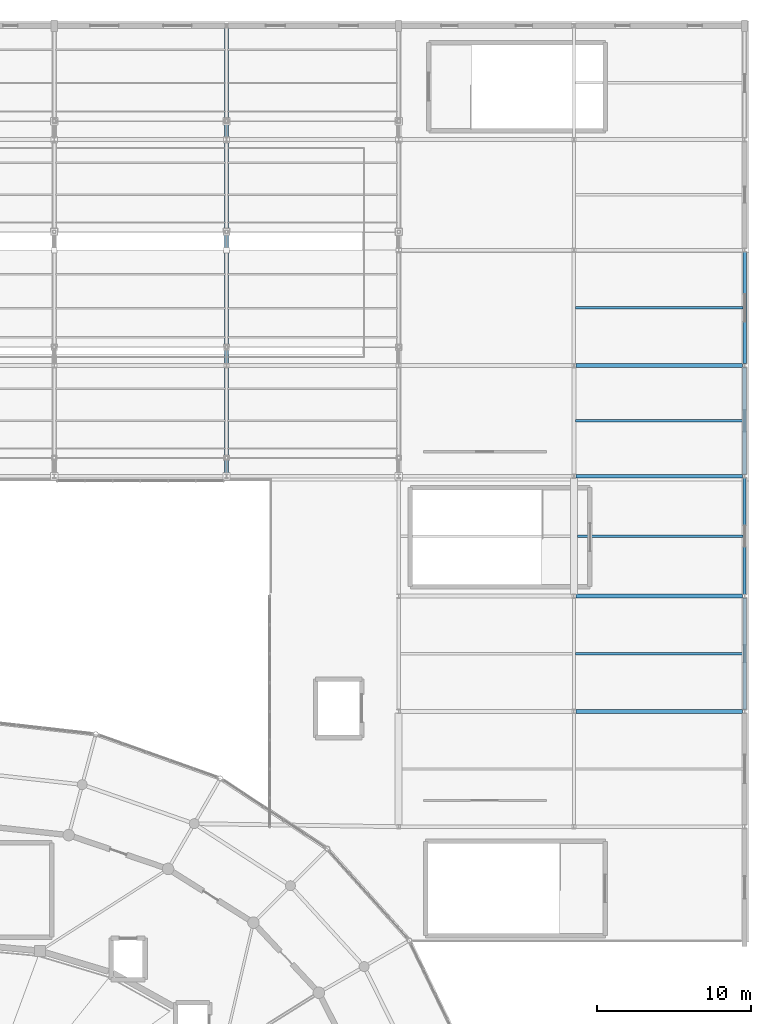
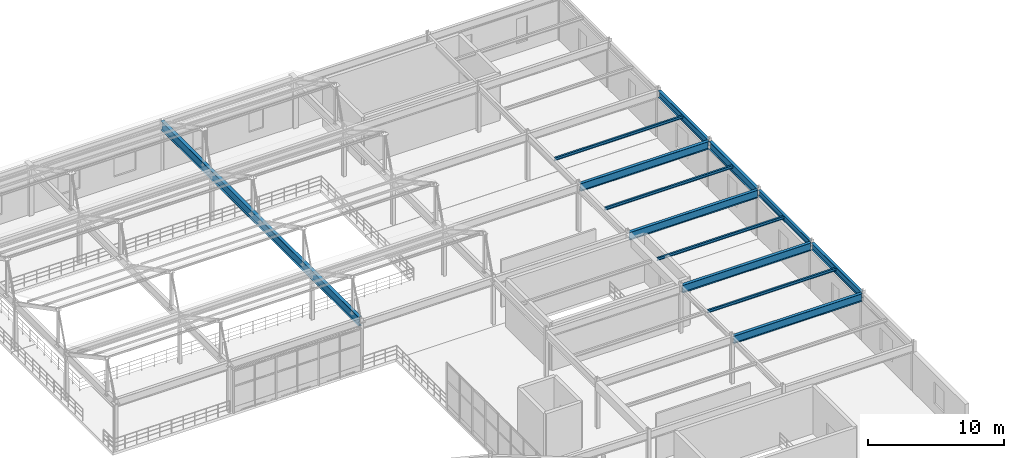
# One storey, part 66 of 112: 13 beams.
"""IFC4 building model written with IfcOpenShell, lengths in metres."""

from ifc_helpers import new_model, si_unit, direction, frame, origin, origin_2d, place, context, subcontext, project, spatial, i_section, extrude, material, material_profile, profile_set, type_object, element, save


model = new_model("IFC4")

# Units and contexts
model_context = context("Model", 3, precision=1e-05, world=origin(), true_north=direction((0.0, 1.0)))
body_context = subcontext(model_context, "Body", "Model", "MODEL_VIEW")
ifc_project = project(units=[si_unit("LENGTHUNIT", "METRE"), si_unit("AREAUNIT", "SQUARE_METRE"), si_unit("VOLUMEUNIT", "CUBIC_METRE"), si_unit("PLANEANGLEUNIT", "RADIAN"), si_unit("MASSUNIT", "GRAM", prefix="KILO")], contexts=[model_context])

# Site, building, storey
site_placement = place(None, origin())
site = spatial("IfcSite", under=ifc_project, at=site_placement, CompositionType="ELEMENT")
building_placement = place(site_placement, origin())
building = spatial("IfcBuilding", under=site, at=building_placement, Name="Cinderbank Siding Concert Hall", CompositionType="ELEMENT")
storey_placement = place(building_placement, frame((0.0, 0.0, 10.199951171875)))
storey = spatial("IfcBuildingStorey", under=building, at=storey_placement, Name="L03", CompositionType="ELEMENT", Elevation=10.199951171875)

# Beams
ifc_material_1 = material(Name="Structural steel AS/NZS 3679.1 Grade 350 (340 MPa)", Category="steel")
ifc_material_profile_1 = material_profile(ifc_material_1, i_section(OverallWidth=0.208984375, OverallDepth=0.5283203125, WebThickness=0.009521484375, FlangeThickness=0.01318359375, at=origin_2d()), Name="530UB82.0", Category="LoadBearing")
ifc_profile_set_1 = profile_set([ifc_material_profile_1], Name="Structural steel AS/NZS 3679.1 Grade 350 (340 MPa)")
beam_type_1 = type_object("IfcBeamType", Name="BM-UB530 530UB82.0", PredefinedType="BEAM", material=ifc_profile_set_1)
beam_1_placement = place(storey_placement, frame((172.89990234375, 80.9189453125, 3.968017578125), z_axis=(0.0, 1.0, 0.0), x_axis=(-1.0, 0.0, 0.0)))
element("IfcBeam", 1, at=beam_1_placement, inside=storey, type_object=beam_type_1, Name="L03 Beam BM-UB530 #1800", PredefinedType="BEAM", context=body_context, shape_type="SweptSolid", body=[
    extrude(i_section(OverallWidth=0.208984375, OverallDepth=0.5283203125, WebThickness=0.009521484375, FlangeThickness=0.01318359375, at=origin_2d()), origin(), (0.0, 0.0, 1.0), 7.56103515625),
])
ifc_material_profile_2 = material_profile(ifc_material_1, i_section(OverallWidth=0.22802734375, OverallDepth=0.602294921875, WebThickness=0.010498046875, FlangeThickness=0.014892578125, at=origin_2d()), Name="610UB101", Category="LoadBearing")
ifc_profile_set_2 = profile_set([ifc_material_profile_2], Name="Structural steel AS/NZS 3679.1 Grade 350 (340 MPa)")
beam_type_2 = type_object("IfcBeamType", Name="BM-UB610 610UB101", PredefinedType="BEAM", material=ifc_profile_set_2)
beam_2_placement = place(storey_placement, frame((172.89990234375, 95.919921875, 3.930908203125), z_axis=(0.0, 1.0, 0.0), x_axis=(-1.0, 0.0, 0.0)))
element("IfcBeam", 2, at=beam_2_placement, inside=storey, type_object=beam_type_2, Name="L03 Beam BM-UB610 #1757", PredefinedType="BEAM", context=body_context, shape_type="SweptSolid", body=[
    extrude(i_section(OverallWidth=0.22802734375, OverallDepth=0.602294921875, WebThickness=0.010498046875, FlangeThickness=0.014892578125, at=origin_2d()), origin(), (0.0, 0.0, 1.0), 7.260009765625),
])
beam_3_placement = place(storey_placement, frame((172.89990234375, 73.4189453125, 3.930908203125), z_axis=(0.0, 1.0, 0.0), x_axis=(-1.0, 0.0, 0.0)))
element("IfcBeam", 3, at=beam_3_placement, inside=storey, type_object=beam_type_2, Name="L03 Beam BM-UB610 #1799", PredefinedType="BEAM", context=body_context, shape_type="SweptSolid", body=[
    extrude(i_section(OverallWidth=0.22802734375, OverallDepth=0.602294921875, WebThickness=0.010498046875, FlangeThickness=0.014892578125, at=origin_2d()), origin(), (0.0, 0.0, 1.0), 7.261962890625),
])
ifc_material_2 = material(Name="Structural steel welded plate section AS/NZS 3679.2 / AS/NZS 3678 Grade 350 (340 MPa)", Category="steel")
ifc_material_profile_3 = material_profile(ifc_material_2, i_section(OverallWidth=0.25, OverallDepth=0.699951171875, WebThickness=0.010009765625, FlangeThickness=0.01611328125, at=origin_2d()), Name="700WB130", Category="LoadBearing")
ifc_profile_set_3 = profile_set([ifc_material_profile_3], Name="Structural steel welded plate section AS/NZS 3679.2 / AS/NZS 3678 Grade 350 (340 MPa)")
beam_type_3 = type_object("IfcBeamType", Name="BM-WB700 700WB130", PredefinedType="BEAM", material=ifc_profile_set_3)
for number, where, z_axis, x_axis, name in (
    (4, (161.919921875, 88.60009765625, 3.882080078125), (1.0, 0.0, 0.0), (0.0, 1.0, 0.0), "L03 Beam BM-WB700 #1747"),
    (5, (161.919921875, 95.800048828125, 3.882080078125), (1.0, 0.0, 0.0), (0.0, 1.0, 0.0), "L03 Beam BM-WB700 #1749"),
):
    element("IfcBeam", number, at=place(storey_placement, frame(where, z_axis=z_axis, x_axis=x_axis)), inside=storey, type_object=beam_type_3, Name=name, PredefinedType="BEAM", context=body_context, shape_type="SweptSolid", body=[
        extrude(i_section(OverallWidth=0.25, OverallDepth=0.699951171875, WebThickness=0.010009765625, FlangeThickness=0.01611328125, at=origin_2d()), origin(), (0.0, 0.0, 1.0), 10.860107421875),
    ])
beam_4_placement = place(storey_placement, frame((172.89990234375, 88.719970703125, 3.882080078125), z_axis=(0.0, 1.0, 0.0), x_axis=(-1.0, 0.0, 0.0)))
element("IfcBeam", 6, at=beam_4_placement, inside=storey, type_object=beam_type_3, Name="L03 Beam BM-WB700 #1756", PredefinedType="BEAM", context=body_context, shape_type="SweptSolid", body=[
    extrude(i_section(OverallWidth=0.25, OverallDepth=0.699951171875, WebThickness=0.010009765625, FlangeThickness=0.01611328125, at=origin_2d()), origin(), (0.0, 0.0, 1.0), 6.9599609375),
])
for number, where, z_axis, x_axis, name in (
    (7, (161.9189453125, 73.300048828125, 3.882080078125), (1.0, 0.0, 0.0), (0.0, 1.0, 0.0), "L03 Beam BM-WB700 #1794"),
    (8, (161.9189453125, 80.800048828125, 3.882080078125), (1.0, 0.0, 0.0), (0.0, 1.0, 0.0), "L03 Beam BM-WB700 #1796"),
):
    element("IfcBeam", number, at=place(storey_placement, frame(where, z_axis=z_axis, x_axis=x_axis)), inside=storey, type_object=beam_type_3, Name=name, PredefinedType="BEAM", context=body_context, shape_type="SweptSolid", body=[
        extrude(i_section(OverallWidth=0.25, OverallDepth=0.699951171875, WebThickness=0.010009765625, FlangeThickness=0.01611328125, at=origin_2d()), origin(), (0.0, 0.0, 1.0), 10.862060546875),
    ])
ifc_material_profile_4 = material_profile(ifc_material_2, i_section(OverallWidth=0.27490234375, OverallDepth=0.800048828125, WebThickness=0.010009765625, FlangeThickness=0.01611328125, at=origin_2d()), Name="800WB146", Category="LoadBearing")
ifc_profile_set_4 = profile_set([ifc_material_profile_4], Name="Structural steel welded plate section AS/NZS 3679.2 / AS/NZS 3678 Grade 350 (340 MPa)")
beam_type_4 = type_object("IfcBeamType", Name="BM-WB800 800WB146", PredefinedType="BEAM", material=ifc_profile_set_4)
beam_5_placement = place(storey_placement, frame((139.199951171875, 88.719970703125, 4.080078125), z_axis=(0.0, 1.0, 0.0), x_axis=(-1.0, 0.0, 0.0)))
element("IfcBeam", 9, at=beam_5_placement, inside=storey, type_object=beam_type_4, Name="L03 Beam BM-WB800 #24", PredefinedType="BEAM", context=body_context, shape_type="SweptSolid", body=[
    extrude(i_section(OverallWidth=0.27490234375, OverallDepth=0.800048828125, WebThickness=0.010009765625, FlangeThickness=0.01611328125, at=origin_2d()), origin(), (0.0, 0.0, 1.0), 29.06005859375),
])
ifc_material_profile_5 = material_profile(ifc_material_1, i_section(OverallWidth=0.14599609375, OverallDepth=0.251708984375, WebThickness=0.006103515625, FlangeThickness=0.008544921875, at=origin_2d()), Name="250UB31.4", Category="LoadBearing")
ifc_profile_set_5 = profile_set([ifc_material_profile_5], Name="Structural steel AS/NZS 3679.1 Grade 350 (340 MPa)")
beam_type_5 = type_object("IfcBeamType", Name="JS-UB250 250UB31.4", PredefinedType="JOIST", material=ifc_profile_set_5)
beam_6_placement = place(storey_placement, frame((161.9169921875, 92.199951171875, 4.106201171875), z_axis=(1.0, 0.0, 0.0), x_axis=(0.0, 1.0, 0.0)))
element("IfcBeam", 10, at=beam_6_placement, inside=storey, type_object=beam_type_5, Name="L03 Beam JS-UB250 #1826", PredefinedType="JOIST", context=body_context, shape_type="SweptSolid", body=[
    extrude(i_section(OverallWidth=0.14599609375, OverallDepth=0.251708984375, WebThickness=0.006103515625, FlangeThickness=0.008544921875, at=origin_2d()), origin(), (0.0, 0.0, 1.0), 10.865966796875),
])
beam_7_placement = place(storey_placement, frame((161.906005859375, 99.550048828125, 4.106201171875), z_axis=(1.0, 0.0, 0.0), x_axis=(0.0, 1.0, 0.0)))
element("IfcBeam", 11, at=beam_7_placement, inside=storey, type_object=beam_type_5, Name="L03 Beam JS-UB250 #1827", PredefinedType="JOIST", context=body_context, shape_type="SweptSolid", body=[
    extrude(i_section(OverallWidth=0.14599609375, OverallDepth=0.251708984375, WebThickness=0.006103515625, FlangeThickness=0.008544921875, at=origin_2d()), origin(), (0.0, 0.0, 1.0), 10.887939453125),
])
beam_8_placement = place(storey_placement, frame((161.886962890625, 77.050048828125, 4.106201171875), z_axis=(1.0, 0.0, 0.0), x_axis=(0.0, 1.0, 0.0)))
element("IfcBeam", 12, at=beam_8_placement, inside=storey, type_object=beam_type_5, Name="L03 Beam JS-UB250 #1843", PredefinedType="JOIST", context=body_context, shape_type="SweptSolid", body=[
    extrude(i_section(OverallWidth=0.14599609375, OverallDepth=0.251708984375, WebThickness=0.006103515625, FlangeThickness=0.008544921875, at=origin_2d()), origin(), (0.0, 0.0, 1.0), 10.906982421875),
])
beam_9_placement = place(storey_placement, frame((162.01708984375, 84.699951171875, 4.106201171875), z_axis=(1.0, 0.0, 0.0), x_axis=(0.0, 1.0, 0.0)))
element("IfcBeam", 13, at=beam_9_placement, inside=storey, type_object=beam_type_5, Name="L03 Beam JS-UB250 #1844", PredefinedType="JOIST", context=body_context, shape_type="SweptSolid", body=[
    extrude(i_section(OverallWidth=0.14599609375, OverallDepth=0.251708984375, WebThickness=0.006103515625, FlangeThickness=0.008544921875, at=origin_2d()), origin(), (0.0, 0.0, 1.0), 10.786376953125),
])

save(model, "model.ifc")
